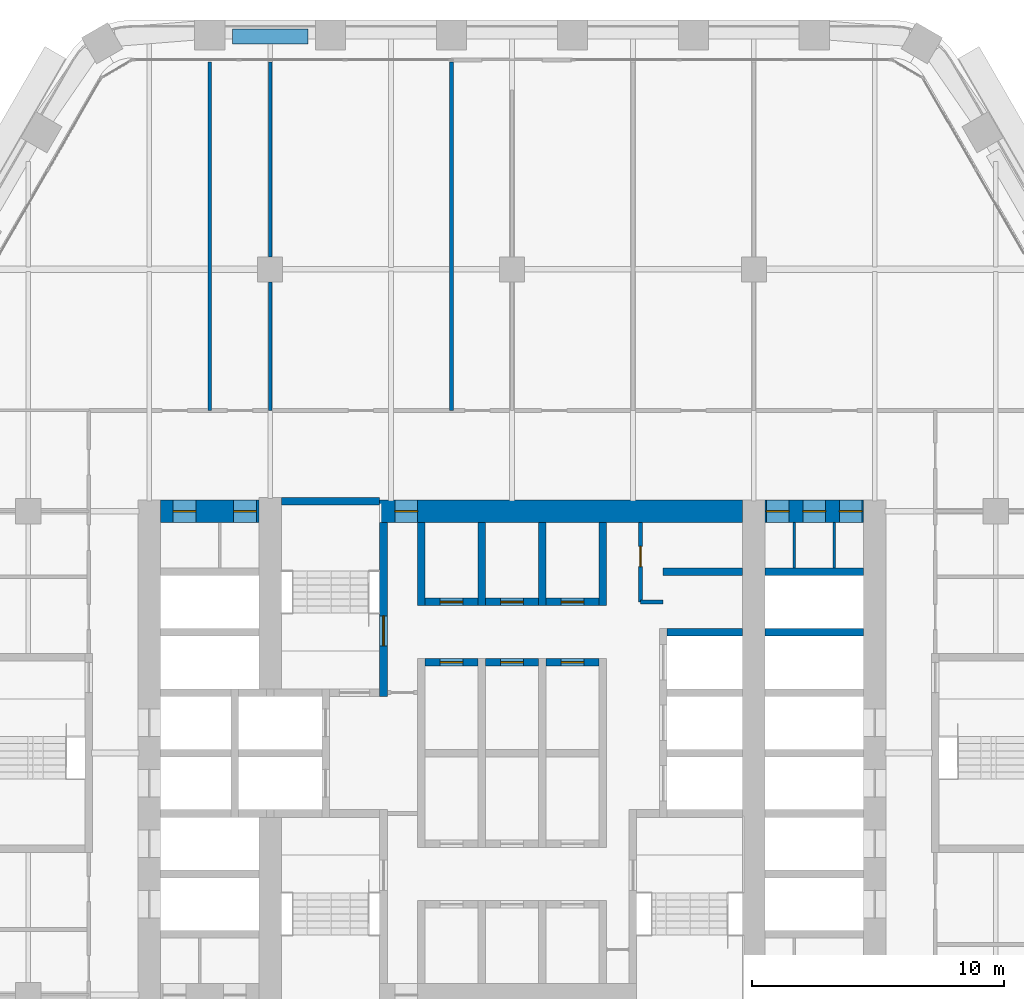
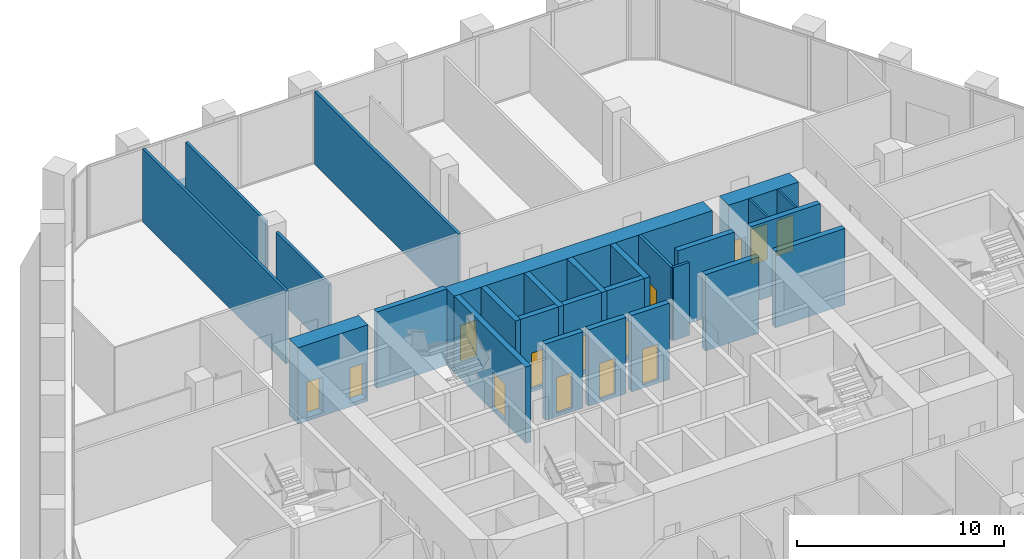
# One storey, part 16 of 23: 28 walls, 14 doors, 14 openings.
"""IFC4 building model written with IfcOpenShell, lengths in metres."""

from ifc_helpers import new_model, si_unit, direction, frame, frame_2d, origin, place, context, subcontext, project, spatial, rectangle, extrude, material, layer, layer_set, type_object, element, fill, save


model = new_model("IFC4")

# Units and contexts
model_context = context("Model", 3, precision=1e-05, world=origin(), true_north=direction((0.0, 1.0)))
body_context = subcontext(model_context, "Body", "Model", "MODEL_VIEW")
ifc_project = project(units=[si_unit("LENGTHUNIT", "METRE"), si_unit("AREAUNIT", "SQUARE_METRE"), si_unit("VOLUMEUNIT", "CUBIC_METRE"), si_unit("PLANEANGLEUNIT", "RADIAN"), si_unit("MASSUNIT", "GRAM", prefix="KILO")], contexts=[model_context])

# Site, building, storey
site_placement = place(None, origin())
site = spatial("IfcSite", under=ifc_project, at=site_placement, CompositionType="ELEMENT")
building_placement = place(site_placement, origin())
building = spatial("IfcBuilding", under=site, at=building_placement, Name="Kolab Exchange Tower", CompositionType="ELEMENT")
storey_placement = place(building_placement, frame((0.0, 0.0, 100.39990234375)))
storey = spatial("IfcBuildingStorey", under=building, at=storey_placement, Name="L19", CompositionType="ELEMENT", Elevation=100.39990234375)

# Wall, openings, doors
ifc_material_1 = material(Name="Concrete C70/85", Category="concrete")
ifc_layer_1 = layer(ifc_material_1, 0.89990234375)
ifc_layer_set_1 = layer_set([ifc_layer_1], Name="Concrete C70/85")
wall_type_1 = type_object("IfcWallType", Name="CORE WALL 900 C70/85", PredefinedType="SHEAR", material=ifc_layer_set_1)
wall_1_placement = place(storey_placement, frame((-13.949951171875, 9.60009765625, -0.199951171875), z_axis=(0.0, 0.0, 1.0), x_axis=(1.0, 0.0, 0.0)))
wall_1 = element("IfcWall", 1, at=wall_1_placement, inside=storey, type_object=wall_type_1, Name="wall/L19/core/051", PredefinedType="SHEAR", context=body_context, shape_type="SweptSolid", body=[
    extrude(rectangle(XDim=3.89990234375, YDim=0.89990234375, at=frame_2d((1.949951171875, 0.0))), origin(), (0.0, 0.0, 1.0), 4.5),
])
opening_1_placement = place(wall_1_placement, frame((0.5, 0.0, 0.199951171875)))
opening_1 = element("IfcOpeningElement", 2, at=opening_1_placement, cuts=wall_1, Name="Opening D6-226", PredefinedType="OPENING", context=body_context, shape_type="SweptSolid", body=[
    extrude(rectangle(XDim=0.89990234375, YDim=2.10009765625, at=frame_2d((0.449951171875, 1.050048828125))), frame((0.0, 0.4599609375, 0.0), z_axis=(0.0, -1.0, 0.0), x_axis=(1.0, 0.0, 0.0)), (0.0, 0.0, 1.0), 0.919921875),
])
opening_2_placement = place(wall_1_placement, frame((2.89990234375, 0.0, 0.199951171875)))
opening_2 = element("IfcOpeningElement", 3, at=opening_2_placement, cuts=wall_1, Name="Opening D6-227", PredefinedType="OPENING", context=body_context, shape_type="SweptSolid", body=[
    extrude(rectangle(XDim=0.89990234375, YDim=2.10009765625, at=frame_2d((0.449951171875, 1.050048828125))), frame((0.0, 0.4599609375, 0.0), z_axis=(0.0, -1.0, 0.0), x_axis=(1.0, 0.0, 0.0)), (0.0, 0.0, 1.0), 0.919921875),
])
ifc_material_2 = material(Name="Steel S235", Category="steel")
door_type_1 = type_object("IfcDoorType", Name="CORE DOOR 900 EI 120", OperationType="SINGLE_SWING_LEFT", PredefinedType="DOOR", material=ifc_material_2)
door_1_placement = place(opening_1_placement, frame((0.89990234375, 0.0, 0.0), z_axis=(0.0, 0.0, 1.0), x_axis=(-1.0, 0.0, 0.0)))
door_1 = element("IfcDoor", 4, at=door_1_placement, inside=storey, type_object=door_type_1, Name="Service room door", OperationType="SINGLE_SWING_LEFT", OverallHeight=2.10009765625, OverallWidth=0.89990234375, PredefinedType="DOOR", context=body_context, shape_type="SweptSolid", body=[
    extrude(rectangle(XDim=0.89990234375, YDim=2.10009765625, at=frame_2d((0.449951171875, 1.050048828125))), frame((0.0, 0.02490234375, 0.0), z_axis=(0.0, -1.0, 0.0), x_axis=(1.0, 0.0, 0.0)), (0.0, 0.0, 1.0), 0.050048828125),
])
fill(opening_1, door_1)
door_2_placement = place(opening_2_placement, frame((0.89990234375, 0.0, 0.0), z_axis=(0.0, 0.0, 1.0), x_axis=(-1.0, 0.0, 0.0)))
door_2 = element("IfcDoor", 5, at=door_2_placement, inside=storey, type_object=door_type_1, Name="Service room door", OperationType="SINGLE_SWING_LEFT", OverallHeight=2.10009765625, OverallWidth=0.89990234375, PredefinedType="DOOR", context=body_context, shape_type="SweptSolid", body=[
    extrude(rectangle(XDim=0.89990234375, YDim=2.10009765625, at=frame_2d((0.449951171875, 1.050048828125))), frame((0.0, 0.02490234375, 0.0), z_axis=(0.0, -1.0, 0.0), x_axis=(1.0, 0.0, 0.0)), (0.0, 0.0, 1.0), 0.050048828125),
])
fill(opening_2, door_2)

# Wall, opening, door
wall_2_placement = place(storey_placement, frame((-5.25, 9.60009765625, -0.199951171875), z_axis=(0.0, 0.0, 1.0), x_axis=(1.0, 0.0, 0.0)))
wall_2 = element("IfcWall", 6, at=wall_2_placement, inside=storey, type_object=wall_type_1, Name="wall/L19/core/052", PredefinedType="SHEAR", context=body_context, shape_type="SweptSolid", body=[
    extrude(rectangle(XDim=14.39990234375, YDim=0.89990234375, at=frame_2d((7.199951171875, 0.0))), origin(), (0.0, 0.0, 1.0), 4.5),
])
opening_3_placement = place(wall_2_placement, frame((0.60009765625, 0.0, 0.199951171875)))
opening_3 = element("IfcOpeningElement", 7, at=opening_3_placement, cuts=wall_2, Name="Opening D6-225", PredefinedType="OPENING", context=body_context, shape_type="SweptSolid", body=[
    extrude(rectangle(XDim=0.89990234375, YDim=2.10009765625, at=frame_2d((0.449951171875, 1.050048828125))), frame((0.0, 0.4599609375, 0.0), z_axis=(0.0, -1.0, 0.0), x_axis=(1.0, 0.0, 0.0)), (0.0, 0.0, 1.0), 0.919921875),
])
door_3_placement = place(opening_3_placement, frame((0.89990234375, 0.0, 0.0), z_axis=(0.0, 0.0, 1.0), x_axis=(-1.0, 0.0, 0.0)))
door_3 = element("IfcDoor", 8, at=door_3_placement, inside=storey, type_object=door_type_1, Name="Core lobby door", OperationType="SINGLE_SWING_RIGHT", OverallHeight=2.10009765625, OverallWidth=0.89990234375, PredefinedType="DOOR", context=body_context, shape_type="SweptSolid", body=[
    extrude(rectangle(XDim=0.89990234375, YDim=2.10009765625, at=frame_2d((0.449951171875, 1.050048828125))), frame((0.0, 0.02490234375, 0.0), z_axis=(0.0, -1.0, 0.0), x_axis=(1.0, 0.0, 0.0)), (0.0, 0.0, 1.0), 0.050048828125),
])
fill(opening_3, door_3)

# Wall, openings, doors
wall_3_placement = place(storey_placement, frame((10.050048828125, 9.60009765625, -0.199951171875), z_axis=(0.0, 0.0, 1.0), x_axis=(1.0, 0.0, 0.0)))
wall_3 = element("IfcWall", 9, at=wall_3_placement, inside=storey, type_object=wall_type_1, Name="wall/L19/core/053", PredefinedType="SHEAR", context=body_context, shape_type="SweptSolid", body=[
    extrude(rectangle(XDim=3.89990234375, YDim=0.89990234375, at=frame_2d((1.949951171875, 0.0))), origin(), (0.0, 0.0, 1.0), 4.5),
])
opening_4_placement = place(wall_3_placement, frame((0.050048828125, 0.0, 0.199951171875)))
opening_4 = element("IfcOpeningElement", 10, at=opening_4_placement, cuts=wall_3, Name="Opening D6-211", PredefinedType="OPENING", context=body_context, shape_type="SweptSolid", body=[
    extrude(rectangle(XDim=0.89990234375, YDim=2.10009765625, at=frame_2d((0.449951171875, 1.050048828125))), frame((0.0, 0.4599609375, 0.0), z_axis=(0.0, -1.0, 0.0), x_axis=(1.0, 0.0, 0.0)), (0.0, 0.0, 1.0), 0.919921875),
])
opening_5_placement = place(wall_3_placement, frame((1.5, 0.0, 0.199951171875)))
opening_5 = element("IfcOpeningElement", 11, at=opening_5_placement, cuts=wall_3, Name="Opening D6-212", PredefinedType="OPENING", context=body_context, shape_type="SweptSolid", body=[
    extrude(rectangle(XDim=0.89990234375, YDim=2.10009765625, at=frame_2d((0.449951171875, 1.050048828125))), frame((0.0, 0.4599609375, 0.0), z_axis=(0.0, -1.0, 0.0), x_axis=(1.0, 0.0, 0.0)), (0.0, 0.0, 1.0), 0.919921875),
])
opening_6_placement = place(wall_3_placement, frame((2.949951171875, 0.0, 0.199951171875)))
opening_6 = element("IfcOpeningElement", 12, at=opening_6_placement, cuts=wall_3, Name="Opening D6-213", PredefinedType="OPENING", context=body_context, shape_type="SweptSolid", body=[
    extrude(rectangle(XDim=0.89990234375, YDim=2.10009765625, at=frame_2d((0.449951171875, 1.050048828125))), frame((0.0, 0.4599609375, 0.0), z_axis=(0.0, -1.0, 0.0), x_axis=(1.0, 0.0, 0.0)), (0.0, 0.0, 1.0), 0.919921875),
])
door_4_placement = place(opening_4_placement, frame((0.89990234375, 0.0, 0.0), z_axis=(0.0, 0.0, 1.0), x_axis=(-1.0, 0.0, 0.0)))
door_4 = element("IfcDoor", 13, at=door_4_placement, inside=storey, type_object=door_type_1, Name="Service room door", OperationType="SINGLE_SWING_RIGHT", OverallHeight=2.10009765625, OverallWidth=0.89990234375, PredefinedType="DOOR", context=body_context, shape_type="SweptSolid", body=[
    extrude(rectangle(XDim=0.89990234375, YDim=2.10009765625, at=frame_2d((0.449951171875, 1.050048828125))), frame((0.0, 0.02490234375, 0.0), z_axis=(0.0, -1.0, 0.0), x_axis=(1.0, 0.0, 0.0)), (0.0, 0.0, 1.0), 0.050048828125),
])
fill(opening_4, door_4)
door_5_placement = place(opening_5_placement, frame((0.89990234375, 0.0, 0.0), z_axis=(0.0, 0.0, 1.0), x_axis=(-1.0, 0.0, 0.0)))
door_5 = element("IfcDoor", 14, at=door_5_placement, inside=storey, type_object=door_type_1, Name="Service room door", OperationType="SINGLE_SWING_LEFT", OverallHeight=2.10009765625, OverallWidth=0.89990234375, PredefinedType="DOOR", context=body_context, shape_type="SweptSolid", body=[
    extrude(rectangle(XDim=0.89990234375, YDim=2.10009765625, at=frame_2d((0.449951171875, 1.050048828125))), frame((0.0, 0.02490234375, 0.0), z_axis=(0.0, -1.0, 0.0), x_axis=(1.0, 0.0, 0.0)), (0.0, 0.0, 1.0), 0.050048828125),
])
fill(opening_5, door_5)
door_6_placement = place(opening_6_placement, frame((0.89990234375, 0.0, 0.0), z_axis=(0.0, 0.0, 1.0), x_axis=(-1.0, 0.0, 0.0)))
door_6 = element("IfcDoor", 15, at=door_6_placement, inside=storey, type_object=door_type_1, Name="Service room door", OperationType="SINGLE_SWING_LEFT", OverallHeight=2.10009765625, OverallWidth=0.89990234375, PredefinedType="DOOR", context=body_context, shape_type="SweptSolid", body=[
    extrude(rectangle(XDim=0.89990234375, YDim=2.10009765625, at=frame_2d((0.449951171875, 1.050048828125))), frame((0.0, 0.02490234375, 0.0), z_axis=(0.0, -1.0, 0.0), x_axis=(1.0, 0.0, 0.0)), (0.0, 0.0, 1.0), 0.050048828125),
])
fill(opening_6, door_6)

# Wall, opening, door
ifc_material_3 = material(Name="Concrete C50/60", Category="concrete")
ifc_layer_2 = layer(ifc_material_3, 0.300048828125)
ifc_layer_set_2 = layer_set([ifc_layer_2], Name="Concrete C50/60")
wall_type_2 = type_object("IfcWallType", Name="LIFT SHAFT WALL 300 C50/60", PredefinedType="STANDARD", material=ifc_layer_set_2)
wall_4_placement = place(storey_placement, frame((-3.449951171875, 3.60009765625, -0.199951171875), z_axis=(0.0, 0.0, 1.0), x_axis=(1.0, 0.0, 0.0)))
wall_4 = element("IfcWall", 16, at=wall_4_placement, inside=storey, type_object=wall_type_2, Name="wall/L19/core/037", PredefinedType="STANDARD", context=body_context, shape_type="SweptSolid", body=[
    extrude(rectangle(XDim=2.099853515625, YDim=0.300048828125, at=frame_2d((1.0498046875, 0.0))), origin(), (0.0, 0.0, 1.0), 4.5),
])
opening_7_placement = place(wall_4_placement, frame((0.60009765625, 0.0, 0.199951171875)))
opening_7 = element("IfcOpeningElement", 17, at=opening_7_placement, cuts=wall_4, Name="Opening D6-196", PredefinedType="OPENING", context=body_context, shape_type="SweptSolid", body=[
    extrude(rectangle(XDim=0.89990234375, YDim=2.10009765625, at=frame_2d((0.449951171875, 1.050048828125))), frame((0.0, 0.16015625, 0.0), z_axis=(0.0, -1.0, 0.0), x_axis=(1.0, 0.0, 0.0)), (0.0, 0.0, 1.0), 0.320068359375),
])
door_7_placement = place(opening_7_placement, frame((0.89990234375, 0.0, 0.0), z_axis=(0.0, 0.0, 1.0), x_axis=(-1.0, 0.0, 0.0)))
door_7 = element("IfcDoor", 18, at=door_7_placement, inside=storey, type_object=door_type_1, Name="Service room door", OperationType="SINGLE_SWING_LEFT", OverallHeight=2.10009765625, OverallWidth=0.89990234375, PredefinedType="DOOR", context=body_context, shape_type="SweptSolid", body=[
    extrude(rectangle(XDim=0.89990234375, YDim=2.10009765625, at=frame_2d((0.449951171875, 1.050048828125))), frame((0.0, 0.02490234375, 0.0), z_axis=(0.0, -1.0, 0.0), x_axis=(1.0, 0.0, 0.0)), (0.0, 0.0, 1.0), 0.050048828125),
])
fill(opening_7, door_7)

wall_5_placement = place(storey_placement, frame((-1.050048828125, 3.60009765625, -0.199951171875), z_axis=(0.0, 0.0, 1.0), x_axis=(1.0, 0.0, 0.0)))
wall_5 = element("IfcWall", 19, at=wall_5_placement, inside=storey, type_object=wall_type_2, Name="wall/L19/core/038", PredefinedType="STANDARD", context=body_context, shape_type="SweptSolid", body=[
    extrude(rectangle(XDim=2.10009765625, YDim=0.300048828125, at=frame_2d((1.050048828125, 0.0))), origin(), (0.0, 0.0, 1.0), 4.5),
])
opening_8_placement = place(wall_5_placement, frame((0.60009765625, 0.0, 0.199951171875)))
opening_8 = element("IfcOpeningElement", 20, at=opening_8_placement, cuts=wall_5, Name="Opening D6-195", PredefinedType="OPENING", context=body_context, shape_type="SweptSolid", body=[
    extrude(rectangle(XDim=0.89990234375, YDim=2.10009765625, at=frame_2d((0.449951171875, 1.050048828125))), frame((0.0, 0.16015625, 0.0), z_axis=(0.0, -1.0, 0.0), x_axis=(1.0, 0.0, 0.0)), (0.0, 0.0, 1.0), 0.320068359375),
])
door_8_placement = place(opening_8_placement, frame((0.89990234375, 0.0, 0.0), z_axis=(0.0, 0.0, 1.0), x_axis=(-1.0, 0.0, 0.0)))
door_8 = element("IfcDoor", 21, at=door_8_placement, inside=storey, type_object=door_type_1, Name="Service room door", OperationType="SINGLE_SWING_LEFT", OverallHeight=2.10009765625, OverallWidth=0.89990234375, PredefinedType="DOOR", context=body_context, shape_type="SweptSolid", body=[
    extrude(rectangle(XDim=0.89990234375, YDim=2.10009765625, at=frame_2d((0.449951171875, 1.050048828125))), frame((0.0, 0.02490234375, 0.0), z_axis=(0.0, -1.0, 0.0), x_axis=(1.0, 0.0, 0.0)), (0.0, 0.0, 1.0), 0.050048828125),
])
fill(opening_8, door_8)

wall_6_placement = place(storey_placement, frame((1.35009765625, 3.60009765625, -0.199951171875), z_axis=(0.0, 0.0, 1.0), x_axis=(1.0, 0.0, 0.0)))
wall_6 = element("IfcWall", 22, at=wall_6_placement, inside=storey, type_object=wall_type_2, Name="wall/L19/core/039", PredefinedType="STANDARD", context=body_context, shape_type="SweptSolid", body=[
    extrude(rectangle(XDim=2.099853515625, YDim=0.300048828125, at=frame_2d((1.0498046875, 0.0))), origin(), (0.0, 0.0, 1.0), 4.5),
])
opening_9_placement = place(wall_6_placement, frame((0.60009765625, 0.0, 0.199951171875)))
opening_9 = element("IfcOpeningElement", 23, at=opening_9_placement, cuts=wall_6, Name="Opening D6-194", PredefinedType="OPENING", context=body_context, shape_type="SweptSolid", body=[
    extrude(rectangle(XDim=0.89990234375, YDim=2.10009765625, at=frame_2d((0.449951171875, 1.050048828125))), frame((0.0, 0.16015625, 0.0), z_axis=(0.0, -1.0, 0.0), x_axis=(1.0, 0.0, 0.0)), (0.0, 0.0, 1.0), 0.320068359375),
])
door_9_placement = place(opening_9_placement, frame((0.89990234375, 0.0, 0.0), z_axis=(0.0, 0.0, 1.0), x_axis=(-1.0, 0.0, 0.0)))
door_9 = element("IfcDoor", 24, at=door_9_placement, inside=storey, type_object=door_type_1, Name="Service room door", OperationType="SINGLE_SWING_RIGHT", OverallHeight=2.10009765625, OverallWidth=0.89990234375, PredefinedType="DOOR", context=body_context, shape_type="SweptSolid", body=[
    extrude(rectangle(XDim=0.89990234375, YDim=2.10009765625, at=frame_2d((0.449951171875, 1.050048828125))), frame((0.0, 0.02490234375, 0.0), z_axis=(0.0, -1.0, 0.0), x_axis=(1.0, 0.0, 0.0)), (0.0, 0.0, 1.0), 0.050048828125),
])
fill(opening_9, door_9)

# Walls
wall_7_placement = place(storey_placement, frame((6.14990234375, 4.800048828125, -0.199951171875), z_axis=(0.0, 0.0, 1.0), x_axis=(1.0, 0.0, 0.0)))
element("IfcWall", 25, at=wall_7_placement, inside=storey, type_object=wall_type_2, Name="wall/L19/core/043", PredefinedType="STANDARD", context=body_context, shape_type="SweptSolid", body=[
    extrude(rectangle(XDim=3.0, YDim=0.300048828125, at=frame_2d((1.5, 0.0))), origin(), (0.0, 0.0, 1.0), 4.5),
])
wall_8_placement = place(storey_placement, frame((10.050048828125, 4.800048828125, -0.199951171875), z_axis=(0.0, 0.0, 1.0), x_axis=(1.0, 0.0, 0.0)))
element("IfcWall", 26, at=wall_8_placement, inside=storey, type_object=wall_type_2, Name="wall/L19/core/044", PredefinedType="STANDARD", context=body_context, shape_type="SweptSolid", body=[
    extrude(rectangle(XDim=3.89990234375, YDim=0.300048828125, at=frame_2d((1.949951171875, 0.0))), origin(), (0.0, 0.0, 1.0), 4.5),
])

# Wall, opening, door
wall_9_placement = place(storey_placement, frame((-3.449951171875, 6.0, -0.199951171875), z_axis=(0.0, 0.0, 1.0), x_axis=(1.0, 0.0, 0.0)))
wall_9 = element("IfcWall", 27, at=wall_9_placement, inside=storey, type_object=wall_type_2, Name="wall/L19/core/045", PredefinedType="STANDARD", context=body_context, shape_type="SweptSolid", body=[
    extrude(rectangle(XDim=2.099853515625, YDim=0.300048828125, at=frame_2d((1.0498046875, 0.0))), origin(), (0.0, 0.0, 1.0), 4.5),
])
opening_10_placement = place(wall_9_placement, frame((0.60009765625, 0.0, 0.199951171875)))
opening_10 = element("IfcOpeningElement", 28, at=opening_10_placement, cuts=wall_9, Name="Opening D6-193", PredefinedType="OPENING", context=body_context, shape_type="SweptSolid", body=[
    extrude(rectangle(XDim=0.89990234375, YDim=2.10009765625, at=frame_2d((0.449951171875, 1.050048828125))), frame((0.0, 0.16015625, 0.0), z_axis=(0.0, -1.0, 0.0), x_axis=(1.0, 0.0, 0.0)), (0.0, 0.0, 1.0), 0.320068359375),
])
door_10_placement = place(opening_10_placement, origin())
door_10 = element("IfcDoor", 29, at=door_10_placement, inside=storey, type_object=door_type_1, Name="Service room door", OperationType="SINGLE_SWING_LEFT", OverallHeight=2.10009765625, OverallWidth=0.89990234375, PredefinedType="DOOR", context=body_context, shape_type="SweptSolid", body=[
    extrude(rectangle(XDim=0.89990234375, YDim=2.10009765625, at=frame_2d((0.449951171875, 1.050048828125))), frame((0.0, 0.02490234375, 0.0), z_axis=(0.0, -1.0, 0.0), x_axis=(1.0, 0.0, 0.0)), (0.0, 0.0, 1.0), 0.050048828125),
])
fill(opening_10, door_10)

wall_10_placement = place(storey_placement, frame((-1.050048828125, 6.0, -0.199951171875), z_axis=(0.0, 0.0, 1.0), x_axis=(1.0, 0.0, 0.0)))
wall_10 = element("IfcWall", 30, at=wall_10_placement, inside=storey, type_object=wall_type_2, Name="wall/L19/core/046", PredefinedType="STANDARD", context=body_context, shape_type="SweptSolid", body=[
    extrude(rectangle(XDim=2.10009765625, YDim=0.300048828125, at=frame_2d((1.050048828125, 0.0))), origin(), (0.0, 0.0, 1.0), 4.5),
])
opening_11_placement = place(wall_10_placement, frame((0.60009765625, 0.0, 0.199951171875)))
opening_11 = element("IfcOpeningElement", 31, at=opening_11_placement, cuts=wall_10, Name="Opening D6-192", PredefinedType="OPENING", context=body_context, shape_type="SweptSolid", body=[
    extrude(rectangle(XDim=0.89990234375, YDim=2.10009765625, at=frame_2d((0.449951171875, 1.050048828125))), frame((0.0, 0.16015625, 0.0), z_axis=(0.0, -1.0, 0.0), x_axis=(1.0, 0.0, 0.0)), (0.0, 0.0, 1.0), 0.320068359375),
])
door_11_placement = place(opening_11_placement, origin())
door_11 = element("IfcDoor", 32, at=door_11_placement, inside=storey, type_object=door_type_1, Name="Service room door", OperationType="SINGLE_SWING_LEFT", OverallHeight=2.10009765625, OverallWidth=0.89990234375, PredefinedType="DOOR", context=body_context, shape_type="SweptSolid", body=[
    extrude(rectangle(XDim=0.89990234375, YDim=2.10009765625, at=frame_2d((0.449951171875, 1.050048828125))), frame((0.0, 0.02490234375, 0.0), z_axis=(0.0, -1.0, 0.0), x_axis=(1.0, 0.0, 0.0)), (0.0, 0.0, 1.0), 0.050048828125),
])
fill(opening_11, door_11)

wall_11_placement = place(storey_placement, frame((1.35009765625, 6.0, -0.199951171875), z_axis=(0.0, 0.0, 1.0), x_axis=(1.0, 0.0, 0.0)))
wall_11 = element("IfcWall", 33, at=wall_11_placement, inside=storey, type_object=wall_type_2, Name="wall/L19/core/047", PredefinedType="STANDARD", context=body_context, shape_type="SweptSolid", body=[
    extrude(rectangle(XDim=2.099853515625, YDim=0.300048828125, at=frame_2d((1.0498046875, 0.0))), origin(), (0.0, 0.0, 1.0), 4.5),
])
opening_12_placement = place(wall_11_placement, frame((0.60009765625, 0.0, 0.199951171875)))
opening_12 = element("IfcOpeningElement", 34, at=opening_12_placement, cuts=wall_11, Name="Opening D6-191", PredefinedType="OPENING", context=body_context, shape_type="SweptSolid", body=[
    extrude(rectangle(XDim=0.89990234375, YDim=2.10009765625, at=frame_2d((0.449951171875, 1.050048828125))), frame((0.0, 0.16015625, 0.0), z_axis=(0.0, -1.0, 0.0), x_axis=(1.0, 0.0, 0.0)), (0.0, 0.0, 1.0), 0.320068359375),
])
door_12_placement = place(opening_12_placement, origin())
door_12 = element("IfcDoor", 35, at=door_12_placement, inside=storey, type_object=door_type_1, Name="Service room door", OperationType="SINGLE_SWING_RIGHT", OverallHeight=2.10009765625, OverallWidth=0.89990234375, PredefinedType="DOOR", context=body_context, shape_type="SweptSolid", body=[
    extrude(rectangle(XDim=0.89990234375, YDim=2.10009765625, at=frame_2d((0.449951171875, 1.050048828125))), frame((0.0, 0.02490234375, 0.0), z_axis=(0.0, -1.0, 0.0), x_axis=(1.0, 0.0, 0.0)), (0.0, 0.0, 1.0), 0.050048828125),
])
fill(opening_12, door_12)

# Walls
wall_12_placement = place(storey_placement, frame((6.0, 7.199951171875, -0.199951171875), z_axis=(0.0, 0.0, 1.0), x_axis=(1.0, 0.0, 0.0)))
element("IfcWall", 36, at=wall_12_placement, inside=storey, type_object=wall_type_2, Name="wall/L19/core/049", PredefinedType="STANDARD", context=body_context, shape_type="SweptSolid", body=[
    extrude(rectangle(XDim=3.14990234375, YDim=0.300048828125, at=frame_2d((1.574951171875, 0.0))), origin(), (0.0, 0.0, 1.0), 4.5),
])
wall_13_placement = place(storey_placement, frame((10.050048828125, 7.199951171875, -0.199951171875), z_axis=(0.0, 0.0, 1.0), x_axis=(1.0, 0.0, 0.0)))
element("IfcWall", 37, at=wall_13_placement, inside=storey, type_object=wall_type_2, Name="wall/L19/core/050", PredefinedType="STANDARD", context=body_context, shape_type="SweptSolid", body=[
    extrude(rectangle(XDim=3.89990234375, YDim=0.300048828125, at=frame_2d((1.949951171875, 0.0))), origin(), (0.0, 0.0, 1.0), 4.5),
])
for number, where, z_axis, x_axis, name in (
    (38, (-3.60009765625, 5.85009765625, -0.199951171875), (0.0, 0.0, 1.0), (0.0, 1.0, 0.0), "wall/L19/core/068"),
    (39, (-1.199951171875, 5.85009765625, -0.199951171875), (0.0, 0.0, 1.0), (0.0, 1.0, 0.0), "wall/L19/core/071"),
    (40, (1.199951171875, 5.85009765625, -0.199951171875), (0.0, 0.0, 1.0), (0.0, 1.0, 0.0), "wall/L19/core/074"),
    (41, (3.60009765625, 5.85009765625, -0.199951171875), (0.0, 0.0, 1.0), (0.0, 1.0, 0.0), "wall/L19/core/077"),
):
    element("IfcWall", number, at=place(storey_placement, frame(where, z_axis=z_axis, x_axis=x_axis)), inside=storey, type_object=wall_type_2, Name=name, PredefinedType="STANDARD", context=body_context, shape_type="SweptSolid", body=[
        extrude(rectangle(XDim=3.2998046875, YDim=0.300048828125, at=frame_2d((1.64990234375, 0.0))), origin(), (0.0, 0.0, 1.0), 4.5),
    ])
ifc_material_4 = material(Name="Gypsum board", Category="gypsum")
ifc_layer_3 = layer(ifc_material_4, 0.10009765625)
ifc_layer_set_3 = layer_set([ifc_layer_3], Name="Gypsum board")
wall_type_3 = type_object("IfcWallType", Name="PARTITION 100", PredefinedType="PARTITIONING", material=ifc_layer_set_3)
for number, where, z_axis, x_axis, name in (
    (42, (12.800048828125, 7.35009765625, 0.0), (0.0, 0.0, 1.0), (0.0, 1.0, 0.0), "Partition 004"),
    (43, (11.199951171875, 7.35009765625, 0.0), (0.0, 0.0, 1.0), (0.0, 1.0, 0.0), "Partition 006"),
):
    element("IfcWall", number, at=place(storey_placement, frame(where, z_axis=z_axis, x_axis=x_axis)), inside=storey, type_object=wall_type_3, Name=name, PredefinedType="PARTITIONING", context=body_context, shape_type="SweptSolid", body=[
        extrude(rectangle(XDim=1.7998046875, YDim=0.10009765625, at=frame_2d((0.89990234375, 0.0))), origin(), (0.0, 0.0, 1.0), 4.300048828125),
    ])

# Wall, opening, door
ifc_layer_4 = layer(ifc_material_4, 0.14990234375)
ifc_layer_set_4 = layer_set([ifc_layer_4], Name="Gypsum board")
wall_type_4 = type_object("IfcWallType", Name="PARTITION 150 FIRE-RATED", PredefinedType="PARTITIONING", material=ifc_layer_set_4)
wall_14_placement = place(storey_placement, frame((5.10009765625, 6.0, 0.0), z_axis=(0.0, 0.0, 1.0), x_axis=(0.0, 1.0, 0.0)))
wall_14 = element("IfcWall", 44, at=wall_14_placement, inside=storey, type_object=wall_type_4, Name="Partition 012", PredefinedType="PARTITIONING", context=body_context, shape_type="SweptSolid", body=[
    extrude(rectangle(XDim=3.14990234375, YDim=0.14990234375, at=frame_2d((1.574951171875, 0.0))), origin(), (0.0, 0.0, 1.0), 4.300048828125),
])
opening_13_placement = place(wall_14_placement, frame((1.39990234375, 0.0, 0.0)))
opening_13 = element("IfcOpeningElement", 45, at=opening_13_placement, cuts=wall_14, Name="Opening D7-021", PredefinedType="OPENING", context=body_context, shape_type="SweptSolid", body=[
    extrude(rectangle(XDim=0.800048828125, YDim=2.10009765625, at=frame_2d((0.39990234375, 1.050048828125))), frame((0.0, 0.0849609375, 0.0), z_axis=(0.0, -1.0, 0.0), x_axis=(1.0, 0.0, 0.0)), (0.0, 0.0, 1.0), 0.169921875),
])
door_type_2 = type_object("IfcDoorType", Name="FLUSH DOOR 800 FD60", OperationType="SINGLE_SWING_LEFT", PredefinedType="DOOR", material=ifc_material_2)
door_13_placement = place(opening_13_placement, frame((0.800048828125, 0.0, 0.0), z_axis=(0.0, 0.0, 1.0), x_axis=(-1.0, 0.0, 0.0)))
door_13 = element("IfcDoor", 46, at=door_13_placement, inside=storey, type_object=door_type_2, Name="Door L19-042", OperationType="SINGLE_SWING_LEFT", OverallHeight=2.10009765625, OverallWidth=0.800048828125, PredefinedType="DOOR", context=body_context, shape_type="SweptSolid", body=[
    extrude(rectangle(XDim=0.800048828125, YDim=2.10009765625, at=frame_2d((0.39990234375, 1.050048828125))), frame((0.0, 0.02490234375, 0.0), z_axis=(0.0, -1.0, 0.0), x_axis=(1.0, 0.0, 0.0)), (0.0, 0.0, 1.0), 0.050048828125),
])
fill(opening_13, door_13)

# Walls
wall_15_placement = place(storey_placement, frame((-2.39990234375, 13.60009765625, 0.0), z_axis=(0.0, 0.0, 1.0), x_axis=(0.0, 1.0, 0.0)))
element("IfcWall", 47, at=wall_15_placement, inside=storey, type_object=wall_type_4, Name="Partition 021", PredefinedType="PARTITIONING", context=body_context, shape_type="SweptSolid", body=[
    extrude(rectangle(XDim=13.83837890625, YDim=0.14990234375, at=frame_2d((6.919189453125, 0.0))), origin(), (0.0, 0.0, 1.0), 4.300048828125),
])
wall_16_placement = place(storey_placement, frame((-9.60009765625, 13.60009765625, 0.0), z_axis=(0.0, 0.0, 1.0), x_axis=(0.0, 1.0, 0.0)))
element("IfcWall", 48, at=wall_16_placement, inside=storey, type_object=wall_type_4, Name="Partition 025", PredefinedType="PARTITIONING", context=body_context, shape_type="SweptSolid", body=[
    extrude(rectangle(XDim=5.099853515625, YDim=0.14990234375, at=frame_2d((2.5498046875, 0.0))), origin(), (0.0, 0.0, 1.0), 3.843017578125),
])
wall_17_placement = place(storey_placement, frame((-9.60009765625, 19.699951171875, 0.0), z_axis=(0.0, 0.0, 1.0), x_axis=(0.0, 1.0, 0.0)))
element("IfcWall", 49, at=wall_17_placement, inside=storey, type_object=wall_type_4, Name="Partition 026", PredefinedType="PARTITIONING", context=body_context, shape_type="SweptSolid", body=[
    extrude(rectangle(XDim=7.728515625, YDim=0.14990234375, at=frame_2d((3.8642578125, 0.0))), origin(), (0.0, 0.0, 1.0), 3.843017578125),
])
wall_18_placement = place(storey_placement, frame((-12.0, 13.60009765625, 0.0), z_axis=(0.0, 0.0, 1.0), x_axis=(0.0, 1.0, 0.0)))
element("IfcWall", 50, at=wall_18_placement, inside=storey, type_object=wall_type_4, Name="Partition 028", PredefinedType="PARTITIONING", context=body_context, shape_type="SweptSolid", body=[
    extrude(rectangle(XDim=13.828369140625, YDim=0.14990234375, at=frame_2d((6.9140625, 0.0))), origin(), (0.0, 0.0, 1.0), 4.300048828125),
])
wall_19_placement = place(storey_placement, frame((5.10009765625, 6.0, 0.0), z_axis=(0.0, 0.0, 1.0), x_axis=(1.0, 0.0, 0.0)))
element("IfcWall", 51, at=wall_19_placement, inside=storey, type_object=wall_type_4, Name="Partition 047", PredefinedType="PARTITIONING", context=body_context, shape_type="SweptSolid", body=[
    extrude(rectangle(XDim=0.89990234375, YDim=0.14990234375, at=frame_2d((0.449951171875, 0.0))), origin(), (0.0, 0.0, 1.0), 4.300048828125),
])
ifc_material_5 = material(Name="Granite facing", Category="masonry")
ifc_layer_5 = layer(ifc_material_5, 0.0400390625)
ifc_material_6 = material(Name="Concrete C40/50 precast", Category="concrete")
ifc_layer_6 = layer(ifc_material_6, 0.56005859375)
ifc_layer_set_5 = layer_set([ifc_layer_5, ifc_layer_6], Name="Concrete C40/50 precast")
wall_type_5 = type_object("IfcWallType", Name="PLANTER BOX 600 X 700 SOIL DEPTH 550", PredefinedType="USERDEFINED", material=ifc_layer_set_5)
wall_20_placement = place(storey_placement, frame((-11.10009765625, 28.448486328125, 0.0), z_axis=(0.0, 0.0, 1.0), x_axis=(1.0, 0.0, 0.0)))
element("IfcWall", 52, at=wall_20_placement, inside=storey, type_object=wall_type_5, Name="Planter", ObjectType="PLANTER", PredefinedType="USERDEFINED", context=body_context, shape_type="SweptSolid", body=[
    extrude(rectangle(XDim=3.0, YDim=0.60009765625, at=frame_2d((1.5, 0.0))), origin(), (0.0, 0.0, 1.0), 0.7001953125),
])
ifc_layer_7 = layer(ifc_material_3, 0.300048828125)
ifc_layer_set_6 = layer_set([ifc_layer_7], Name="Concrete C50/60")
wall_type_6 = type_object("IfcWallType", Name="STAIR ENCLOSURE WALL 300 C50/60", PredefinedType="STANDARD", material=ifc_layer_set_6)
wall_21_placement = place(storey_placement, frame((-9.14990234375, 10.0, -0.199951171875), z_axis=(0.0, 0.0, 1.0), x_axis=(1.0, 0.0, 0.0)))
element("IfcWall", 53, at=wall_21_placement, inside=storey, type_object=wall_type_6, Name="wall/L19/core/054", PredefinedType="STANDARD", context=body_context, shape_type="SweptSolid", body=[
    extrude(rectangle(XDim=3.89990234375, YDim=0.300048828125, at=frame_2d((1.949951171875, 0.0))), origin(), (0.0, 0.0, 1.0), 4.5),
])

# Wall, opening, door
wall_22_placement = place(storey_placement, frame((-5.10009765625, 2.25, -0.199951171875), z_axis=(0.0, 0.0, 1.0), x_axis=(0.0, 1.0, 0.0)))
wall_22 = element("IfcWall", 54, at=wall_22_placement, inside=storey, type_object=wall_type_6, Name="wall/L19/core/065", PredefinedType="STANDARD", context=body_context, shape_type="SweptSolid", body=[
    extrude(rectangle(XDim=6.89990234375, YDim=0.300048828125, at=frame_2d((3.449951171875, 0.0))), origin(), (0.0, 0.0, 1.0), 4.5),
])
opening_14_placement = place(wall_22_placement, frame((2.0, 0.0, 0.199951171875)))
opening_14 = element("IfcOpeningElement", 55, at=opening_14_placement, cuts=wall_22, Name="Opening D4-044", PredefinedType="OPENING", context=body_context, shape_type="SweptSolid", body=[
    extrude(rectangle(XDim=1.199951171875, YDim=2.10009765625, at=frame_2d((0.60009765625, 1.050048828125))), frame((0.0, 0.16015625, 0.0), z_axis=(0.0, -1.0, 0.0), x_axis=(1.0, 0.0, 0.0)), (0.0, 0.0, 1.0), 0.320068359375),
])
door_type_3 = type_object("IfcDoorType", Name="STAIR DOOR 1200 EI 120", OperationType="SINGLE_SWING_LEFT", PredefinedType="DOOR", material=ifc_material_2)
door_14_placement = place(opening_14_placement, origin())
door_14 = element("IfcDoor", 56, at=door_14_placement, inside=storey, type_object=door_type_3, Name="Stair 1 door", OperationType="SINGLE_SWING_LEFT", OverallHeight=2.10009765625, OverallWidth=1.199951171875, PredefinedType="DOOR", context=body_context, shape_type="SweptSolid", body=[
    extrude(rectangle(XDim=1.199951171875, YDim=2.10009765625, at=frame_2d((0.60009765625, 1.050048828125))), frame((0.0, 0.02490234375, 0.0), z_axis=(0.0, -1.0, 0.0), x_axis=(1.0, 0.0, 0.0)), (0.0, 0.0, 1.0), 0.050048828125),
])
fill(opening_14, door_14)

save(model, "model.ifc")
